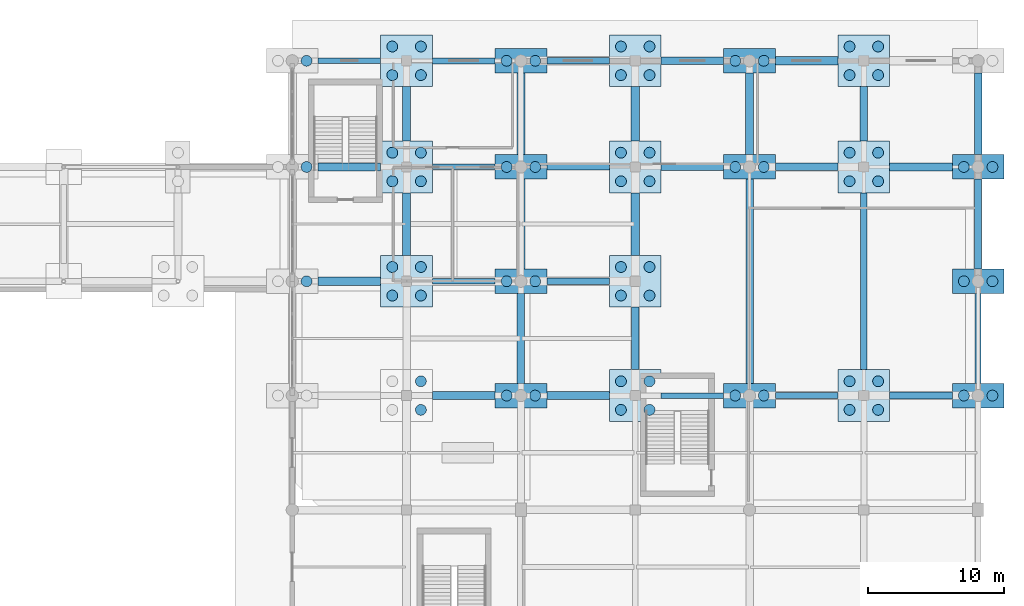
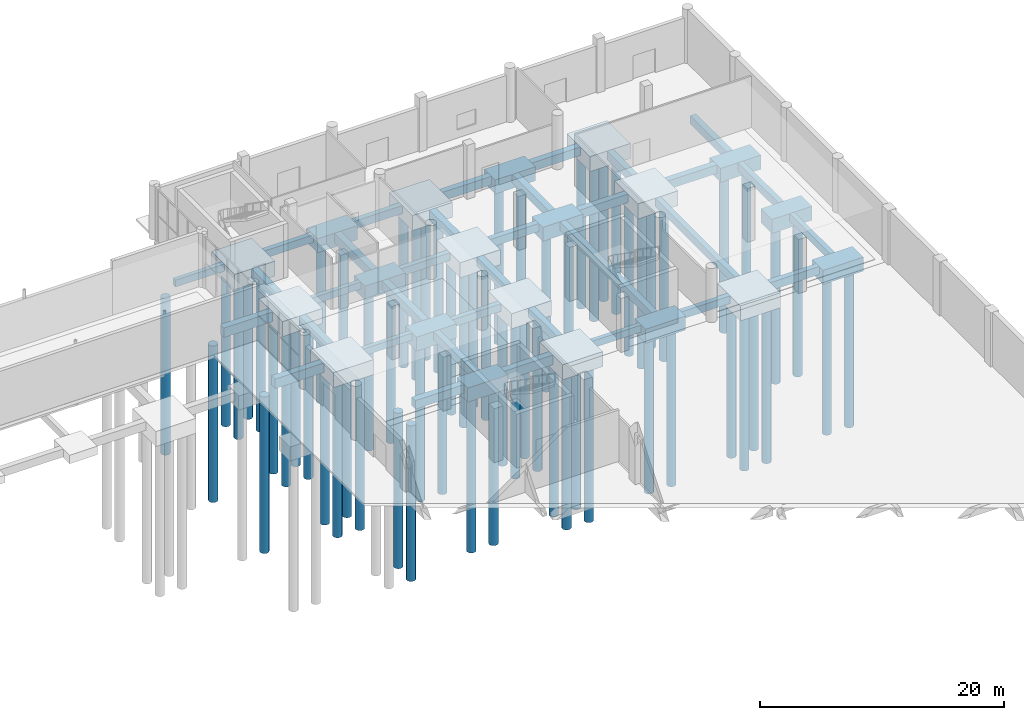
# One storey, part 5 of 82: 65 piles, 54 footings.
"""IFC4 building model written with IfcOpenShell, lengths in metres."""

from ifc_helpers import new_model, si_unit, derived_unit, direction, frame, origin, origin_2d, place, context, subcontext, project, spatial, polyline, rectangle, circle, outline, extrude, material, material_profile, profile_set, type_object, element, save


model = new_model("IFC4")

# Units and contexts
model_context = context("Model", 3, precision=1e-05, world=origin(), true_north=direction((0.0, 1.0)))
body_context = subcontext(model_context, "Body", "Model", "MODEL_VIEW")
ifc_project = project(units=[si_unit("LENGTHUNIT", "METRE"), si_unit("AREAUNIT", "SQUARE_METRE"), si_unit("VOLUMEUNIT", "CUBIC_METRE"), si_unit("PLANEANGLEUNIT", "RADIAN"), si_unit("MASSUNIT", "GRAM", prefix="KILO"), derived_unit("THERMALTRANSMITTANCEUNIT", [(si_unit("POWERUNIT", "WATT"), 1), (si_unit("LENGTHUNIT", "METRE"), -2), (si_unit("THERMODYNAMICTEMPERATUREUNIT", "KELVIN"), -1)])], contexts=[model_context])

# Site, building, storey
site_placement = place(None, origin())
site = spatial("IfcSite", under=ifc_project, at=site_placement, CompositionType="ELEMENT")
building_placement = place(site_placement, origin())
building = spatial("IfcBuilding", under=site, at=building_placement, Name="Barrovel Congress Hotel", CompositionType="ELEMENT")
storey_placement = place(building_placement, origin())
storey = spatial("IfcBuildingStorey", under=building, at=storey_placement, Name="L00", CompositionType="ELEMENT", Elevation=0.0)

# Footings
ifc_material_1 = material(Name="Concrete C40", Category="concrete")
footing_type_1 = type_object("IfcFootingType", Name="CAP-PC-03", PredefinedType="PILE_CAP", material=ifc_material_1)
for number, where, z_axis, x_axis, name in (
    (1, (142.800048828125, 88.199951171875, -6.260009765625), (0.0, 0.0, 1.0), (1.0, 0.0, 0.0), "CAP:L00:142.8:88.2"),
    (2, (142.800048828125, 96.60009765625, -6.260009765625), (0.0, 0.0, 1.0), (1.0, 0.0, 0.0), "CAP:L00:142.8:96.6"),
    (3, (142.800048828125, 105.0, -6.260009765625), (0.0, 0.0, 1.0), (1.0, 0.0, 0.0), "CAP:L00:142.8:105.0"),
    (4, (142.800048828125, 112.800048828125, -6.260009765625), (0.0, 0.0, 1.0), (1.0, 0.0, 0.0), "CAP:L00:142.8:112.8"),
    (5, (159.60009765625, 88.199951171875, -6.260009765625), (0.0, 0.0, 1.0), (1.0, 0.0, 0.0), "CAP:L00:159.6:88.2"),
    (6, (159.60009765625, 105.0, -6.260009765625), (0.0, 0.0, 1.0), (1.0, 0.0, 0.0), "CAP:L00:159.6:105.0"),
    (7, (159.60009765625, 112.800048828125, -6.260009765625), (0.0, 0.0, 1.0), (1.0, 0.0, 0.0), "CAP:L00:159.6:112.8"),
    (8, (176.39990234375, 88.199951171875, -6.260009765625), (0.0, 0.0, 1.0), (1.0, 0.0, 0.0), "CAP:L00:176.4:88.2"),
    (9, (176.39990234375, 96.60009765625, -6.260009765625), (0.0, 0.0, 1.0), (1.0, 0.0, 0.0), "CAP:L00:176.4:96.6"),
    (10, (176.39990234375, 105.0, -6.260009765625), (0.0, 0.0, 1.0), (1.0, 0.0, 0.0), "CAP:L00:176.4:105.0"),
):
    element("IfcFooting", number, at=place(storey_placement, frame(where, z_axis=z_axis, x_axis=x_axis)), inside=storey, type_object=footing_type_1, Name=name, PredefinedType="PILE_CAP", context=body_context, shape_type="SweptSolid", body=[
        extrude(rectangle(XDim=3.800048828125, YDim=1.800048828125, at=origin_2d()), origin(), (0.0, 0.0, 1.0), 1.39990234375),
    ])
footing_type_2 = type_object("IfcFootingType", Name="CAP-PC-07", PredefinedType="PILE_CAP", material=ifc_material_1)
for number, where, z_axis, x_axis, name in (
    (11, (134.39990234375, 96.60009765625, -6.360107421875), (0.0, 0.0, 1.0), (1.0, 0.0, 0.0), "CAP:L00:134.4:96.6"),
    (12, (134.39990234375, 105.0, -6.360107421875), (0.0, 0.0, 1.0), (1.0, 0.0, 0.0), "CAP:L00:134.4:105.0"),
    (13, (134.39990234375, 112.800048828125, -6.360107421875), (0.0, 0.0, 1.0), (1.0, 0.0, 0.0), "CAP:L00:134.4:112.8"),
    (14, (151.199951171875, 88.199951171875, -6.360107421875), (0.0, 0.0, 1.0), (1.0, 0.0, 0.0), "CAP:L00:151.2:88.2"),
    (15, (151.199951171875, 96.60009765625, -6.360107421875), (0.0, 0.0, 1.0), (1.0, 0.0, 0.0), "CAP:L00:151.2:96.6"),
    (16, (151.199951171875, 105.0, -6.360107421875), (0.0, 0.0, 1.0), (1.0, 0.0, 0.0), "CAP:L00:151.2:105.0"),
    (17, (151.199951171875, 112.800048828125, -6.360107421875), (0.0, 0.0, 1.0), (1.0, 0.0, 0.0), "CAP:L00:151.2:112.8"),
    (18, (168.0, 88.199951171875, -6.360107421875), (0.0, 0.0, 1.0), (1.0, 0.0, 0.0), "CAP:L00:168.0:88.2"),
    (19, (168.0, 105.0, -6.360107421875), (0.0, 0.0, 1.0), (1.0, 0.0, 0.0), "CAP:L00:168.0:105.0"),
    (20, (168.0, 112.800048828125, -6.360107421875), (0.0, 0.0, 1.0), (1.0, 0.0, 0.0), "CAP:L00:168.0:112.8"),
):
    element("IfcFooting", number, at=place(storey_placement, frame(where, z_axis=z_axis, x_axis=x_axis)), inside=storey, type_object=footing_type_2, Name=name, PredefinedType="PILE_CAP", context=body_context, shape_type="SweptSolid", body=[
        extrude(rectangle(XDim=3.800048828125, YDim=3.800048828125, at=origin_2d()), origin(), (0.0, 0.0, 1.0), 1.5),
    ])
footing_type_3 = type_object("IfcFootingType", Name="FB-400x700", PredefinedType="FOOTING_BEAM", material=ifc_material_1)
footing_1_placement = place(storey_placement, frame((0.0, 0.0, -5.56005859375)))
element("IfcFooting", 21, at=footing_1_placement, inside=storey, type_object=footing_type_3, Name="FBX:L00:88.2:151.2-159.6", PredefinedType="FOOTING_BEAM", context=body_context, shape_type="SweptSolid", body=[
    extrude(outline(polyline([(153.10009765625, 88.0), (157.699951171875, 88.0), (157.699951171875, 88.39990234375), (153.10009765625, 88.39990234375), (153.10009765625, 88.0)])), origin(), (0.0, 0.0, 1.0), 0.699951171875),
])
footing_2_placement = place(storey_placement, frame((0.0, 0.0, -5.56005859375)))
element("IfcFooting", 22, at=footing_2_placement, inside=storey, type_object=footing_type_3, Name="FBX:L00:96.6:134.4-142.8", PredefinedType="FOOTING_BEAM", context=body_context, shape_type="SweptSolid", body=[
    extrude(outline(polyline([(136.300048828125, 96.39990234375), (140.89990234375, 96.39990234375), (140.89990234375, 96.800048828125), (136.300048828125, 96.800048828125), (136.300048828125, 96.39990234375)])), origin(), (0.0, 0.0, 1.0), 0.699951171875),
])
footing_3_placement = place(storey_placement, frame((0.0, 0.0, -5.56005859375)))
element("IfcFooting", 23, at=footing_3_placement, inside=storey, type_object=footing_type_3, Name="FBX:L00:105.0:134.4-142.8", PredefinedType="FOOTING_BEAM", context=body_context, shape_type="SweptSolid", body=[
    extrude(outline(polyline([(136.300048828125, 104.800048828125), (140.89990234375, 104.800048828125), (140.89990234375, 105.199951171875), (136.300048828125, 105.199951171875), (136.300048828125, 104.800048828125)])), origin(), (0.0, 0.0, 1.0), 0.699951171875),
])
footing_4_placement = place(storey_placement, frame((0.0, 0.0, -5.56005859375)))
element("IfcFooting", 24, at=footing_4_placement, inside=storey, type_object=footing_type_3, Name="FBX:L00:112.8:126.0-134.4", PredefinedType="FOOTING_BEAM", context=body_context, shape_type="SweptSolid", body=[
    extrude(outline(polyline([(127.89990234375, 112.60009765625), (132.5, 112.60009765625), (132.5, 113.0), (127.89990234375, 113.0), (127.89990234375, 112.60009765625)])), origin(), (0.0, 0.0, 1.0), 0.699951171875),
])
footing_type_4 = type_object("IfcFootingType", Name="FB-450x750", PredefinedType="FOOTING_BEAM", material=ifc_material_1)
footing_5_placement = place(storey_placement, frame((0.0, 0.0, -5.610107421875)))
element("IfcFooting", 25, at=footing_5_placement, inside=storey, type_object=footing_type_4, Name="FBX:L00:88.2:159.6-168.0", PredefinedType="FOOTING_BEAM", context=body_context, shape_type="SweptSolid", body=[
    extrude(outline(polyline([(161.5, 87.97509765625), (166.10009765625, 87.97509765625), (166.10009765625, 88.425048828125), (161.5, 88.425048828125), (161.5, 87.97509765625)])), origin(), (0.0, 0.0, 1.0), 0.75),
])
footing_6_placement = place(storey_placement, frame((0.0, 0.0, -5.610107421875)))
element("IfcFooting", 26, at=footing_6_placement, inside=storey, type_object=footing_type_4, Name="FBX:L00:96.6:142.8-151.2", PredefinedType="FOOTING_BEAM", context=body_context, shape_type="SweptSolid", body=[
    extrude(outline(polyline([(144.699951171875, 96.375), (149.300048828125, 96.375), (149.300048828125, 96.824951171875), (144.699951171875, 96.824951171875), (144.699951171875, 96.375)])), origin(), (0.0, 0.0, 1.0), 0.75),
])
footing_7_placement = place(storey_placement, frame((0.0, 0.0, -5.610107421875)))
element("IfcFooting", 27, at=footing_7_placement, inside=storey, type_object=footing_type_4, Name="FBX:L00:105.0:142.8-151.2", PredefinedType="FOOTING_BEAM", context=body_context, shape_type="SweptSolid", body=[
    extrude(outline(polyline([(144.699951171875, 104.77490234375), (149.300048828125, 104.77490234375), (149.300048828125, 105.22509765625), (144.699951171875, 105.22509765625), (144.699951171875, 104.77490234375)])), origin(), (0.0, 0.0, 1.0), 0.75),
])
footing_8_placement = place(storey_placement, frame((0.0, 0.0, -5.610107421875)))
element("IfcFooting", 28, at=footing_8_placement, inside=storey, type_object=footing_type_4, Name="FBX:L00:112.8:134.4-142.8", PredefinedType="FOOTING_BEAM", context=body_context, shape_type="SweptSolid", body=[
    extrude(outline(polyline([(136.300048828125, 112.574951171875), (140.89990234375, 112.574951171875), (140.89990234375, 113.02490234375), (136.300048828125, 113.02490234375), (136.300048828125, 112.574951171875)])), origin(), (0.0, 0.0, 1.0), 0.75),
])
footing_9_placement = place(storey_placement, frame((0.0, 0.0, -5.610107421875)))
element("IfcFooting", 29, at=footing_9_placement, inside=storey, type_object=footing_type_4, Name="FBY:L00:176.4:88.2-96.6", PredefinedType="FOOTING_BEAM", context=body_context, shape_type="SweptSolid", body=[
    extrude(outline(polyline([(176.175048828125, 89.10009765625), (176.625, 89.10009765625), (176.625, 95.699951171875), (176.175048828125, 95.699951171875), (176.175048828125, 89.10009765625)])), origin(), (0.0, 0.0, 1.0), 0.75),
])
footing_type_5 = type_object("IfcFootingType", Name="FB-500x800", PredefinedType="FOOTING_BEAM", material=ifc_material_1)
footing_10_placement = place(storey_placement, frame((0.0, 0.0, -5.659912109375)))
element("IfcFooting", 30, at=footing_10_placement, inside=storey, type_object=footing_type_5, Name="FBX:L00:88.2:168.0-176.4", PredefinedType="FOOTING_BEAM", context=body_context, shape_type="SweptSolid", body=[
    extrude(outline(polyline([(169.89990234375, 87.949951171875), (174.5, 87.949951171875), (174.5, 88.449951171875), (169.89990234375, 88.449951171875), (169.89990234375, 87.949951171875)])), origin(), (0.0, 0.0, 1.0), 0.7998046875),
])
footing_11_placement = place(storey_placement, frame((0.0, 0.0, -5.659912109375)))
element("IfcFooting", 31, at=footing_11_placement, inside=storey, type_object=footing_type_5, Name="FBX:L00:105.0:151.2-159.6", PredefinedType="FOOTING_BEAM", context=body_context, shape_type="SweptSolid", body=[
    extrude(outline(polyline([(153.10009765625, 104.75), (157.699951171875, 104.75), (157.699951171875, 105.25), (153.10009765625, 105.25), (153.10009765625, 104.75)])), origin(), (0.0, 0.0, 1.0), 0.7998046875),
])
footing_12_placement = place(storey_placement, frame((0.0, 0.0, -5.659912109375)))
element("IfcFooting", 32, at=footing_12_placement, inside=storey, type_object=footing_type_5, Name="FBX:L00:112.8:142.8-151.2", PredefinedType="FOOTING_BEAM", context=body_context, shape_type="SweptSolid", body=[
    extrude(outline(polyline([(144.699951171875, 112.550048828125), (149.300048828125, 112.550048828125), (149.300048828125, 113.050048828125), (144.699951171875, 113.050048828125), (144.699951171875, 112.550048828125)])), origin(), (0.0, 0.0, 1.0), 0.7998046875),
])
footing_13_placement = place(storey_placement, frame((0.0, 0.0, -5.659912109375)))
element("IfcFooting", 33, at=footing_13_placement, inside=storey, type_object=footing_type_5, Name="FBY:L00:168.0:88.2-105.0", PredefinedType="FOOTING_BEAM", context=body_context, shape_type="SweptSolid", body=[
    extrude(outline(polyline([(167.75, 90.10009765625), (168.25, 90.10009765625), (168.25, 103.10009765625), (167.75, 103.10009765625), (167.75, 90.10009765625)])), origin(), (0.0, 0.0, 1.0), 0.7998046875),
])
footing_14_placement = place(storey_placement, frame((0.0, 0.0, -5.659912109375)))
element("IfcFooting", 34, at=footing_14_placement, inside=storey, type_object=footing_type_5, Name="FBY:L00:176.4:96.6-105.0", PredefinedType="FOOTING_BEAM", context=body_context, shape_type="SweptSolid", body=[
    extrude(outline(polyline([(176.14990234375, 97.5), (176.64990234375, 97.5), (176.64990234375, 104.10009765625), (176.14990234375, 104.10009765625), (176.14990234375, 97.5)])), origin(), (0.0, 0.0, 1.0), 0.7998046875),
])
footing_type_6 = type_object("IfcFootingType", Name="FB-550x850", PredefinedType="FOOTING_BEAM", material=ifc_material_1)
footing_15_placement = place(storey_placement, frame((0.0, 0.0, -5.7099609375)))
element("IfcFooting", 35, at=footing_15_placement, inside=storey, type_object=footing_type_6, Name="FBX:L00:105.0:159.6-168.0", PredefinedType="FOOTING_BEAM", context=body_context, shape_type="SweptSolid", body=[
    extrude(outline(polyline([(161.5, 104.72509765625), (166.10009765625, 104.72509765625), (166.10009765625, 105.27490234375), (161.5, 105.27490234375), (161.5, 104.72509765625)])), origin(), (0.0, 0.0, 1.0), 0.849853515625),
])
footing_16_placement = place(storey_placement, frame((0.0, 0.0, -5.7099609375)))
element("IfcFooting", 36, at=footing_16_placement, inside=storey, type_object=footing_type_6, Name="FBX:L00:112.8:151.2-159.6", PredefinedType="FOOTING_BEAM", context=body_context, shape_type="SweptSolid", body=[
    extrude(outline(polyline([(153.10009765625, 112.52490234375), (157.699951171875, 112.52490234375), (157.699951171875, 113.074951171875), (153.10009765625, 113.074951171875), (153.10009765625, 112.52490234375)])), origin(), (0.0, 0.0, 1.0), 0.849853515625),
])
footing_17_placement = place(storey_placement, frame((0.0, 0.0, -5.7099609375)))
element("IfcFooting", 37, at=footing_17_placement, inside=storey, type_object=footing_type_6, Name="FBY:L00:142.8:88.2-96.6", PredefinedType="FOOTING_BEAM", context=body_context, shape_type="SweptSolid", body=[
    extrude(outline(polyline([(142.52490234375, 89.10009765625), (143.074951171875, 89.10009765625), (143.074951171875, 95.699951171875), (142.52490234375, 95.699951171875), (142.52490234375, 89.10009765625)])), origin(), (0.0, 0.0, 1.0), 0.849853515625),
])
footing_18_placement = place(storey_placement, frame((0.0, 0.0, -5.7099609375)))
element("IfcFooting", 38, at=footing_18_placement, inside=storey, type_object=footing_type_6, Name="FBY:L00:151.2:88.2-96.6", PredefinedType="FOOTING_BEAM", context=body_context, shape_type="SweptSolid", body=[
    extrude(outline(polyline([(150.925048828125, 90.10009765625), (151.47509765625, 90.10009765625), (151.47509765625, 94.699951171875), (150.925048828125, 94.699951171875), (150.925048828125, 90.10009765625)])), origin(), (0.0, 0.0, 1.0), 0.849853515625),
])
footing_19_placement = place(storey_placement, frame((0.0, 0.0, -5.7099609375)))
element("IfcFooting", 39, at=footing_19_placement, inside=storey, type_object=footing_type_6, Name="FBY:L00:159.6:88.2-105.0", PredefinedType="FOOTING_BEAM", context=body_context, shape_type="SweptSolid", body=[
    extrude(outline(polyline([(159.324951171875, 89.10009765625), (159.875, 89.10009765625), (159.875, 104.10009765625), (159.324951171875, 104.10009765625), (159.324951171875, 89.10009765625)])), origin(), (0.0, 0.0, 1.0), 0.849853515625),
])
footing_20_placement = place(storey_placement, frame((0.0, 0.0, -5.7099609375)))
element("IfcFooting", 40, at=footing_20_placement, inside=storey, type_object=footing_type_6, Name="FBY:L00:168.0:105.0-112.8", PredefinedType="FOOTING_BEAM", context=body_context, shape_type="SweptSolid", body=[
    extrude(outline(polyline([(167.72509765625, 106.89990234375), (168.27490234375, 106.89990234375), (168.27490234375, 110.89990234375), (167.72509765625, 110.89990234375), (167.72509765625, 106.89990234375)])), origin(), (0.0, 0.0, 1.0), 0.849853515625),
])
footing_21_placement = place(storey_placement, frame((0.0, 0.0, -5.7099609375)))
element("IfcFooting", 41, at=footing_21_placement, inside=storey, type_object=footing_type_6, Name="FBY:L00:176.4:105.0-112.8", PredefinedType="FOOTING_BEAM", context=body_context, shape_type="SweptSolid", body=[
    extrude(outline(polyline([(176.125, 105.89990234375), (176.675048828125, 105.89990234375), (176.675048828125, 111.89990234375), (176.125, 111.89990234375), (176.125, 105.89990234375)])), origin(), (0.0, 0.0, 1.0), 0.849853515625),
])
footing_type_7 = type_object("IfcFootingType", Name="FB-600x850", PredefinedType="FOOTING_BEAM", material=ifc_material_1)
footing_22_placement = place(storey_placement, frame((0.0, 0.0, -5.7099609375)))
element("IfcFooting", 42, at=footing_22_placement, inside=storey, type_object=footing_type_7, Name="FBX:L00:88.2:134.4-142.8", PredefinedType="FOOTING_BEAM", context=body_context, shape_type="SweptSolid", body=[
    extrude(outline(polyline([(136.300048828125, 87.89990234375), (140.89990234375, 87.89990234375), (140.89990234375, 88.5), (136.300048828125, 88.5), (136.300048828125, 87.89990234375)])), origin(), (0.0, 0.0, 1.0), 0.849853515625),
])
footing_23_placement = place(storey_placement, frame((0.0, 0.0, -5.7099609375)))
element("IfcFooting", 43, at=footing_23_placement, inside=storey, type_object=footing_type_7, Name="FBX:L00:105.0:168.0-176.4", PredefinedType="FOOTING_BEAM", context=body_context, shape_type="SweptSolid", body=[
    extrude(outline(polyline([(169.89990234375, 104.699951171875), (174.5, 104.699951171875), (174.5, 105.300048828125), (169.89990234375, 105.300048828125), (169.89990234375, 104.699951171875)])), origin(), (0.0, 0.0, 1.0), 0.849853515625),
])
footing_24_placement = place(storey_placement, frame((0.0, 0.0, -5.7099609375)))
element("IfcFooting", 44, at=footing_24_placement, inside=storey, type_object=footing_type_7, Name="FBX:L00:112.8:159.6-168.0", PredefinedType="FOOTING_BEAM", context=body_context, shape_type="SweptSolid", body=[
    extrude(outline(polyline([(161.5, 112.5), (166.10009765625, 112.5), (166.10009765625, 113.10009765625), (161.5, 113.10009765625), (161.5, 112.5)])), origin(), (0.0, 0.0, 1.0), 0.849853515625),
])
footing_25_placement = place(storey_placement, frame((0.0, 0.0, -5.7099609375)))
element("IfcFooting", 45, at=footing_25_placement, inside=storey, type_object=footing_type_7, Name="FBY:L00:134.4:96.6-105.0", PredefinedType="FOOTING_BEAM", context=body_context, shape_type="SweptSolid", body=[
    extrude(outline(polyline([(134.10009765625, 98.5), (134.699951171875, 98.5), (134.699951171875, 103.10009765625), (134.10009765625, 103.10009765625), (134.10009765625, 98.5)])), origin(), (0.0, 0.0, 1.0), 0.849853515625),
])
footing_26_placement = place(storey_placement, frame((0.0, 0.0, -5.7099609375)))
element("IfcFooting", 46, at=footing_26_placement, inside=storey, type_object=footing_type_7, Name="FBY:L00:142.8:96.6-105.0", PredefinedType="FOOTING_BEAM", context=body_context, shape_type="SweptSolid", body=[
    extrude(outline(polyline([(142.5, 97.5), (143.10009765625, 97.5), (143.10009765625, 104.10009765625), (142.5, 104.10009765625), (142.5, 97.5)])), origin(), (0.0, 0.0, 1.0), 0.849853515625),
])
footing_27_placement = place(storey_placement, frame((0.0, 0.0, -5.7099609375)))
element("IfcFooting", 47, at=footing_27_placement, inside=storey, type_object=footing_type_7, Name="FBY:L00:151.2:96.6-105.0", PredefinedType="FOOTING_BEAM", context=body_context, shape_type="SweptSolid", body=[
    extrude(outline(polyline([(150.89990234375, 98.5), (151.5, 98.5), (151.5, 103.10009765625), (150.89990234375, 103.10009765625), (150.89990234375, 98.5)])), origin(), (0.0, 0.0, 1.0), 0.849853515625),
])
footing_28_placement = place(storey_placement, frame((0.0, 0.0, -5.7099609375)))
element("IfcFooting", 48, at=footing_28_placement, inside=storey, type_object=footing_type_7, Name="FBY:L00:159.6:105.0-112.8", PredefinedType="FOOTING_BEAM", context=body_context, shape_type="SweptSolid", body=[
    extrude(outline(polyline([(159.300048828125, 105.89990234375), (159.89990234375, 105.89990234375), (159.89990234375, 111.89990234375), (159.300048828125, 111.89990234375), (159.300048828125, 105.89990234375)])), origin(), (0.0, 0.0, 1.0), 0.849853515625),
])
footing_type_8 = type_object("IfcFootingType", Name="FB-600x950", PredefinedType="FOOTING_BEAM", material=ifc_material_1)
footing_29_placement = place(storey_placement, frame((0.0, 0.0, -5.81005859375)))
element("IfcFooting", 49, at=footing_29_placement, inside=storey, type_object=footing_type_8, Name="FBX:L00:88.2:142.8-151.2", PredefinedType="FOOTING_BEAM", context=body_context, shape_type="SweptSolid", body=[
    extrude(outline(polyline([(144.699951171875, 87.89990234375), (149.300048828125, 87.89990234375), (149.300048828125, 88.5), (144.699951171875, 88.5), (144.699951171875, 87.89990234375)])), origin(), (0.0, 0.0, 1.0), 0.949951171875),
])
footing_30_placement = place(storey_placement, frame((0.0, 0.0, -5.81005859375)))
element("IfcFooting", 50, at=footing_30_placement, inside=storey, type_object=footing_type_8, Name="FBX:L00:96.6:126.0-134.4", PredefinedType="FOOTING_BEAM", context=body_context, shape_type="SweptSolid", body=[
    extrude(outline(polyline([(127.89990234375, 96.300048828125), (132.5, 96.300048828125), (132.5, 96.89990234375), (127.89990234375, 96.89990234375), (127.89990234375, 96.300048828125)])), origin(), (0.0, 0.0, 1.0), 0.949951171875),
])
footing_31_placement = place(storey_placement, frame((0.0, 0.0, -5.81005859375)))
element("IfcFooting", 51, at=footing_31_placement, inside=storey, type_object=footing_type_8, Name="FBX:L00:105.0:126.0-134.4", PredefinedType="FOOTING_BEAM", context=body_context, shape_type="SweptSolid", body=[
    extrude(outline(polyline([(127.89990234375, 104.699951171875), (132.5, 104.699951171875), (132.5, 105.300048828125), (127.89990234375, 105.300048828125), (127.89990234375, 104.699951171875)])), origin(), (0.0, 0.0, 1.0), 0.949951171875),
])
footing_32_placement = place(storey_placement, frame((0.0, 0.0, -5.81005859375)))
element("IfcFooting", 52, at=footing_32_placement, inside=storey, type_object=footing_type_8, Name="FBY:L00:134.4:105.0-112.8", PredefinedType="FOOTING_BEAM", context=body_context, shape_type="SweptSolid", body=[
    extrude(outline(polyline([(134.10009765625, 106.89990234375), (134.699951171875, 106.89990234375), (134.699951171875, 110.89990234375), (134.10009765625, 110.89990234375), (134.10009765625, 106.89990234375)])), origin(), (0.0, 0.0, 1.0), 0.949951171875),
])
footing_33_placement = place(storey_placement, frame((0.0, 0.0, -5.81005859375)))
element("IfcFooting", 53, at=footing_33_placement, inside=storey, type_object=footing_type_8, Name="FBY:L00:142.8:105.0-112.8", PredefinedType="FOOTING_BEAM", context=body_context, shape_type="SweptSolid", body=[
    extrude(outline(polyline([(142.5, 105.89990234375), (143.10009765625, 105.89990234375), (143.10009765625, 111.89990234375), (142.5, 111.89990234375), (142.5, 105.89990234375)])), origin(), (0.0, 0.0, 1.0), 0.949951171875),
])
footing_34_placement = place(storey_placement, frame((0.0, 0.0, -5.81005859375)))
element("IfcFooting", 54, at=footing_34_placement, inside=storey, type_object=footing_type_8, Name="FBY:L00:151.2:105.0-112.8", PredefinedType="FOOTING_BEAM", context=body_context, shape_type="SweptSolid", body=[
    extrude(outline(polyline([(150.89990234375, 106.89990234375), (151.5, 106.89990234375), (151.5, 110.89990234375), (150.89990234375, 110.89990234375), (150.89990234375, 106.89990234375)])), origin(), (0.0, 0.0, 1.0), 0.949951171875),
])

# Piles
ifc_material_2 = material(Name="Concrete C35", Category="concrete")
ifc_material_profile = material_profile(ifc_material_2, circle(Radius=0.39990234375, at=origin_2d()), Name="BP-D800")
ifc_profile_set = profile_set([ifc_material_profile], Name="Concrete C35")
pile_type = type_object("IfcPileType", Name="PILE-BP-D800", PredefinedType="BORED", material=ifc_profile_set)
for number, where, z_axis, x_axis, name in (
    (55, (127.050048828125, 96.60009765625, -6.260009765625), (0.0, 0.0, -1.0), (1.0, 0.0, 0.0), "PILE:L00:126.0:96.6:2"),
    (56, (127.050048828125, 105.0, -6.260009765625), (0.0, 0.0, -1.0), (1.0, 0.0, 0.0), "PILE:L00:126.0:105.0:2"),
    (57, (127.050048828125, 112.800048828125, -6.260009765625), (0.0, 0.0, -1.0), (1.0, 0.0, 0.0), "PILE:L00:126.0:112.8:2"),
):
    element("IfcPile", number, at=place(storey_placement, frame(where, z_axis=z_axis, x_axis=x_axis)), inside=storey, type_object=pile_type, Name=name, PredefinedType="BORED", context=body_context, shape_type="SweptSolid", body=[
        extrude(circle(Radius=0.39990234375, at=origin_2d()), origin(), (0.0, 0.0, 1.0), 15.639892578125),
    ])
for number, where, z_axis, x_axis, name in (
    (58, (135.449951171875, 87.14990234375, -6.360107421875), (0.0, 0.0, -1.0), (1.0, 0.0, 0.0), "PILE:L00:134.4:88.2:2"),
    (59, (135.449951171875, 89.25, -6.360107421875), (0.0, 0.0, -1.0), (1.0, 0.0, 0.0), "PILE:L00:134.4:88.2:4"),
    (60, (133.35009765625, 95.550048828125, -6.360107421875), (0.0, 0.0, -1.0), (1.0, 0.0, 0.0), "PILE:L00:134.4:96.6:1"),
    (61, (135.449951171875, 95.550048828125, -6.360107421875), (0.0, 0.0, -1.0), (1.0, 0.0, 0.0), "PILE:L00:134.4:96.6:2"),
    (62, (133.35009765625, 97.64990234375, -6.360107421875), (0.0, 0.0, -1.0), (1.0, 0.0, 0.0), "PILE:L00:134.4:96.6:3"),
    (63, (135.449951171875, 97.64990234375, -6.360107421875), (0.0, 0.0, -1.0), (1.0, 0.0, 0.0), "PILE:L00:134.4:96.6:4"),
    (64, (133.35009765625, 103.949951171875, -6.360107421875), (0.0, 0.0, -1.0), (1.0, 0.0, 0.0), "PILE:L00:134.4:105.0:1"),
    (65, (135.449951171875, 103.949951171875, -6.360107421875), (0.0, 0.0, -1.0), (1.0, 0.0, 0.0), "PILE:L00:134.4:105.0:2"),
    (66, (133.35009765625, 106.050048828125, -6.360107421875), (0.0, 0.0, -1.0), (1.0, 0.0, 0.0), "PILE:L00:134.4:105.0:3"),
    (67, (135.449951171875, 106.050048828125, -6.360107421875), (0.0, 0.0, -1.0), (1.0, 0.0, 0.0), "PILE:L00:134.4:105.0:4"),
    (68, (133.35009765625, 111.75, -6.360107421875), (0.0, 0.0, -1.0), (1.0, 0.0, 0.0), "PILE:L00:134.4:112.8:1"),
    (69, (135.449951171875, 111.75, -6.360107421875), (0.0, 0.0, -1.0), (1.0, 0.0, 0.0), "PILE:L00:134.4:112.8:2"),
    (70, (133.35009765625, 113.85009765625, -6.360107421875), (0.0, 0.0, -1.0), (1.0, 0.0, 0.0), "PILE:L00:134.4:112.8:3"),
    (71, (135.449951171875, 113.85009765625, -6.360107421875), (0.0, 0.0, -1.0), (1.0, 0.0, 0.0), "PILE:L00:134.4:112.8:4"),
):
    element("IfcPile", number, at=place(storey_placement, frame(where, z_axis=z_axis, x_axis=x_axis)), inside=storey, type_object=pile_type, Name=name, PredefinedType="BORED", context=body_context, shape_type="SweptSolid", body=[
        extrude(circle(Radius=0.39990234375, at=origin_2d()), origin(), (0.0, 0.0, 1.0), 15.5400390625),
    ])
for number, where, z_axis, x_axis, name in (
    (72, (141.75, 88.199951171875, -6.260009765625), (0.0, 0.0, -1.0), (1.0, 0.0, 0.0), "PILE:L00:142.8:88.2:1"),
    (73, (143.85009765625, 88.199951171875, -6.260009765625), (0.0, 0.0, -1.0), (1.0, 0.0, 0.0), "PILE:L00:142.8:88.2:2"),
    (74, (141.75, 96.60009765625, -6.260009765625), (0.0, 0.0, -1.0), (1.0, 0.0, 0.0), "PILE:L00:142.8:96.6:1"),
    (75, (143.85009765625, 96.60009765625, -6.260009765625), (0.0, 0.0, -1.0), (1.0, 0.0, 0.0), "PILE:L00:142.8:96.6:2"),
    (76, (141.75, 105.0, -6.260009765625), (0.0, 0.0, -1.0), (1.0, 0.0, 0.0), "PILE:L00:142.8:105.0:1"),
    (77, (143.85009765625, 105.0, -6.260009765625), (0.0, 0.0, -1.0), (1.0, 0.0, 0.0), "PILE:L00:142.8:105.0:2"),
    (78, (141.75, 112.800048828125, -6.260009765625), (0.0, 0.0, -1.0), (1.0, 0.0, 0.0), "PILE:L00:142.8:112.8:1"),
    (79, (143.85009765625, 112.800048828125, -6.260009765625), (0.0, 0.0, -1.0), (1.0, 0.0, 0.0), "PILE:L00:142.8:112.8:2"),
):
    element("IfcPile", number, at=place(storey_placement, frame(where, z_axis=z_axis, x_axis=x_axis)), inside=storey, type_object=pile_type, Name=name, PredefinedType="BORED", context=body_context, shape_type="SweptSolid", body=[
        extrude(circle(Radius=0.39990234375, at=origin_2d()), origin(), (0.0, 0.0, 1.0), 15.639892578125),
    ])
for number, where, z_axis, x_axis, name in (
    (80, (150.14990234375, 87.14990234375, -6.360107421875), (0.0, 0.0, -1.0), (1.0, 0.0, 0.0), "PILE:L00:151.2:88.2:1"),
    (81, (152.25, 87.14990234375, -6.360107421875), (0.0, 0.0, -1.0), (1.0, 0.0, 0.0), "PILE:L00:151.2:88.2:2"),
    (82, (150.14990234375, 89.25, -6.360107421875), (0.0, 0.0, -1.0), (1.0, 0.0, 0.0), "PILE:L00:151.2:88.2:3"),
    (83, (152.25, 89.25, -6.360107421875), (0.0, 0.0, -1.0), (1.0, 0.0, 0.0), "PILE:L00:151.2:88.2:4"),
    (84, (150.14990234375, 95.550048828125, -6.360107421875), (0.0, 0.0, -1.0), (1.0, 0.0, 0.0), "PILE:L00:151.2:96.6:1"),
    (85, (152.25, 95.550048828125, -6.360107421875), (0.0, 0.0, -1.0), (1.0, 0.0, 0.0), "PILE:L00:151.2:96.6:2"),
    (86, (150.14990234375, 97.64990234375, -6.360107421875), (0.0, 0.0, -1.0), (1.0, 0.0, 0.0), "PILE:L00:151.2:96.6:3"),
    (87, (152.25, 97.64990234375, -6.360107421875), (0.0, 0.0, -1.0), (1.0, 0.0, 0.0), "PILE:L00:151.2:96.6:4"),
    (88, (150.14990234375, 103.949951171875, -6.360107421875), (0.0, 0.0, -1.0), (1.0, 0.0, 0.0), "PILE:L00:151.2:105.0:1"),
    (89, (152.25, 103.949951171875, -6.360107421875), (0.0, 0.0, -1.0), (1.0, 0.0, 0.0), "PILE:L00:151.2:105.0:2"),
    (90, (150.14990234375, 106.050048828125, -6.360107421875), (0.0, 0.0, -1.0), (1.0, 0.0, 0.0), "PILE:L00:151.2:105.0:3"),
    (91, (152.25, 106.050048828125, -6.360107421875), (0.0, 0.0, -1.0), (1.0, 0.0, 0.0), "PILE:L00:151.2:105.0:4"),
    (92, (150.14990234375, 111.75, -6.360107421875), (0.0, 0.0, -1.0), (1.0, 0.0, 0.0), "PILE:L00:151.2:112.8:1"),
    (93, (152.25, 111.75, -6.360107421875), (0.0, 0.0, -1.0), (1.0, 0.0, 0.0), "PILE:L00:151.2:112.8:2"),
    (94, (150.14990234375, 113.85009765625, -6.360107421875), (0.0, 0.0, -1.0), (1.0, 0.0, 0.0), "PILE:L00:151.2:112.8:3"),
    (95, (152.25, 113.85009765625, -6.360107421875), (0.0, 0.0, -1.0), (1.0, 0.0, 0.0), "PILE:L00:151.2:112.8:4"),
):
    element("IfcPile", number, at=place(storey_placement, frame(where, z_axis=z_axis, x_axis=x_axis)), inside=storey, type_object=pile_type, Name=name, PredefinedType="BORED", context=body_context, shape_type="SweptSolid", body=[
        extrude(circle(Radius=0.39990234375, at=origin_2d()), origin(), (0.0, 0.0, 1.0), 15.5400390625),
    ])
for number, where, z_axis, x_axis, name in (
    (96, (158.550048828125, 88.199951171875, -6.260009765625), (0.0, 0.0, -1.0), (1.0, 0.0, 0.0), "PILE:L00:159.6:88.2:1"),
    (97, (160.64990234375, 88.199951171875, -6.260009765625), (0.0, 0.0, -1.0), (1.0, 0.0, 0.0), "PILE:L00:159.6:88.2:2"),
    (98, (158.550048828125, 105.0, -6.260009765625), (0.0, 0.0, -1.0), (1.0, 0.0, 0.0), "PILE:L00:159.6:105.0:1"),
    (99, (160.64990234375, 105.0, -6.260009765625), (0.0, 0.0, -1.0), (1.0, 0.0, 0.0), "PILE:L00:159.6:105.0:2"),
    (100, (158.550048828125, 112.800048828125, -6.260009765625), (0.0, 0.0, -1.0), (1.0, 0.0, 0.0), "PILE:L00:159.6:112.8:1"),
    (101, (160.64990234375, 112.800048828125, -6.260009765625), (0.0, 0.0, -1.0), (1.0, 0.0, 0.0), "PILE:L00:159.6:112.8:2"),
):
    element("IfcPile", number, at=place(storey_placement, frame(where, z_axis=z_axis, x_axis=x_axis)), inside=storey, type_object=pile_type, Name=name, PredefinedType="BORED", context=body_context, shape_type="SweptSolid", body=[
        extrude(circle(Radius=0.39990234375, at=origin_2d()), origin(), (0.0, 0.0, 1.0), 15.639892578125),
    ])
for number, where, z_axis, x_axis, name in (
    (102, (166.949951171875, 87.14990234375, -6.360107421875), (0.0, 0.0, -1.0), (1.0, 0.0, 0.0), "PILE:L00:168.0:88.2:1"),
    (103, (169.050048828125, 87.14990234375, -6.360107421875), (0.0, 0.0, -1.0), (1.0, 0.0, 0.0), "PILE:L00:168.0:88.2:2"),
    (104, (166.949951171875, 89.25, -6.360107421875), (0.0, 0.0, -1.0), (1.0, 0.0, 0.0), "PILE:L00:168.0:88.2:3"),
    (105, (169.050048828125, 89.25, -6.360107421875), (0.0, 0.0, -1.0), (1.0, 0.0, 0.0), "PILE:L00:168.0:88.2:4"),
    (106, (166.949951171875, 103.949951171875, -6.360107421875), (0.0, 0.0, -1.0), (1.0, 0.0, 0.0), "PILE:L00:168.0:105.0:1"),
    (107, (169.050048828125, 103.949951171875, -6.360107421875), (0.0, 0.0, -1.0), (1.0, 0.0, 0.0), "PILE:L00:168.0:105.0:2"),
    (108, (166.949951171875, 106.050048828125, -6.360107421875), (0.0, 0.0, -1.0), (1.0, 0.0, 0.0), "PILE:L00:168.0:105.0:3"),
    (109, (169.050048828125, 106.050048828125, -6.360107421875), (0.0, 0.0, -1.0), (1.0, 0.0, 0.0), "PILE:L00:168.0:105.0:4"),
    (110, (166.949951171875, 111.75, -6.360107421875), (0.0, 0.0, -1.0), (1.0, 0.0, 0.0), "PILE:L00:168.0:112.8:1"),
    (111, (169.050048828125, 111.75, -6.360107421875), (0.0, 0.0, -1.0), (1.0, 0.0, 0.0), "PILE:L00:168.0:112.8:2"),
    (112, (166.949951171875, 113.85009765625, -6.360107421875), (0.0, 0.0, -1.0), (1.0, 0.0, 0.0), "PILE:L00:168.0:112.8:3"),
    (113, (169.050048828125, 113.85009765625, -6.360107421875), (0.0, 0.0, -1.0), (1.0, 0.0, 0.0), "PILE:L00:168.0:112.8:4"),
):
    element("IfcPile", number, at=place(storey_placement, frame(where, z_axis=z_axis, x_axis=x_axis)), inside=storey, type_object=pile_type, Name=name, PredefinedType="BORED", context=body_context, shape_type="SweptSolid", body=[
        extrude(circle(Radius=0.39990234375, at=origin_2d()), origin(), (0.0, 0.0, 1.0), 15.5400390625),
    ])
for number, where, z_axis, x_axis, name in (
    (114, (175.35009765625, 88.199951171875, -6.260009765625), (0.0, 0.0, -1.0), (1.0, 0.0, 0.0), "PILE:L00:176.4:88.2:1"),
    (115, (177.449951171875, 88.199951171875, -6.260009765625), (0.0, 0.0, -1.0), (1.0, 0.0, 0.0), "PILE:L00:176.4:88.2:2"),
    (116, (175.35009765625, 96.60009765625, -6.260009765625), (0.0, 0.0, -1.0), (1.0, 0.0, 0.0), "PILE:L00:176.4:96.6:1"),
    (117, (177.449951171875, 96.60009765625, -6.260009765625), (0.0, 0.0, -1.0), (1.0, 0.0, 0.0), "PILE:L00:176.4:96.6:2"),
    (118, (175.35009765625, 105.0, -6.260009765625), (0.0, 0.0, -1.0), (1.0, 0.0, 0.0), "PILE:L00:176.4:105.0:1"),
    (119, (177.449951171875, 105.0, -6.260009765625), (0.0, 0.0, -1.0), (1.0, 0.0, 0.0), "PILE:L00:176.4:105.0:2"),
):
    element("IfcPile", number, at=place(storey_placement, frame(where, z_axis=z_axis, x_axis=x_axis)), inside=storey, type_object=pile_type, Name=name, PredefinedType="BORED", context=body_context, shape_type="SweptSolid", body=[
        extrude(circle(Radius=0.39990234375, at=origin_2d()), origin(), (0.0, 0.0, 1.0), 15.639892578125),
    ])

save(model, "model.ifc")
